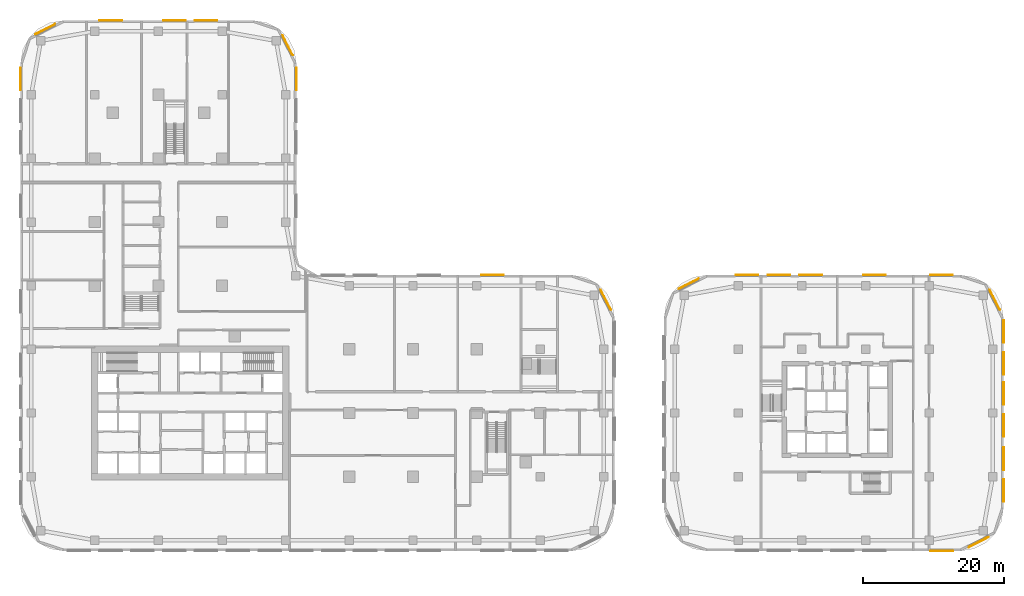
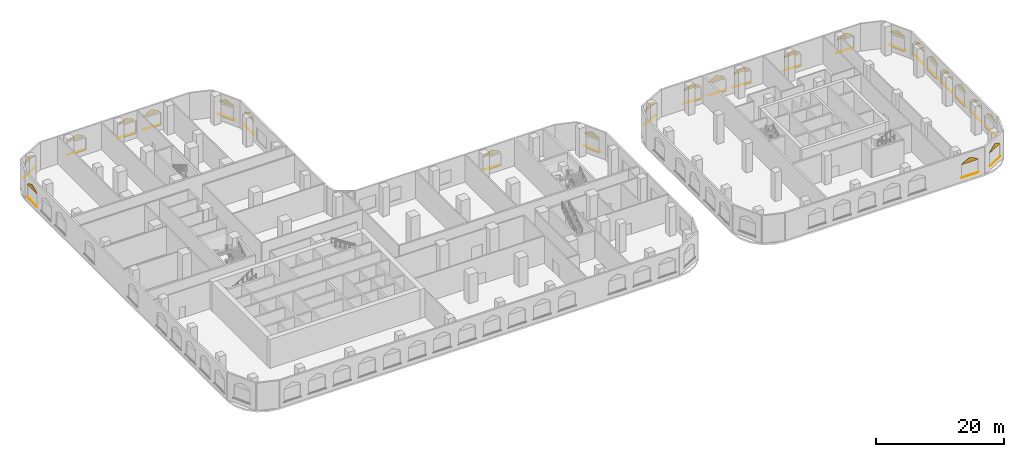
# One storey, part 31 of 31: 48 coverings.
"""IFC4 building model written with IfcOpenShell, lengths in metres."""

from ifc_helpers import new_model, si_unit, direction, frame, origin, origin_2d, place, context, subcontext, project, spatial, polyline, rectangle, outline, extrude, material, layer, layer_set, type_object, element, save


model = new_model("IFC4")

# Units and contexts
model_context = context("Model", 3, precision=1e-05, world=origin(), true_north=direction((0.0, 1.0)))
body_context = subcontext(model_context, "Body", "Model", "MODEL_VIEW")
ifc_project = project(units=[si_unit("LENGTHUNIT", "METRE"), si_unit("AREAUNIT", "SQUARE_METRE"), si_unit("VOLUMEUNIT", "CUBIC_METRE"), si_unit("PLANEANGLEUNIT", "RADIAN"), si_unit("MASSUNIT", "GRAM", prefix="KILO")], contexts=[model_context])

# Site, building, storey
site_placement = place(None, origin())
site = spatial("IfcSite", under=ifc_project, at=site_placement, CompositionType="ELEMENT")
building_placement = place(site_placement, origin())
building = spatial("IfcBuilding", under=site, at=building_placement, Name="Ogive Portal Towers", CompositionType="ELEMENT")
storey_placement = place(building_placement, frame((0.0, 0.0, 8.0)))
storey = spatial("IfcBuildingStorey", under=building, at=storey_placement, Name="L01", CompositionType="ELEMENT", Elevation=8.0)

# Coverings
ifc_material = material(Name="Limestone cladding on lightweight block wall", Category="masonry")
ifc_layer_1 = layer(ifc_material, 0.0400390625)
ifc_layer_set_1 = layer_set([ifc_layer_1], Name="LANCET HEAD STONE")
covering_type_1 = type_object("IfcCoveringType", Name="LANCET HEAD STONE", PredefinedType="CLADDING", material=ifc_layer_set_1)
covering_1_placement = place(storey_placement, frame((104.41162109375, 45.15478515625, 3.300048828125), z_axis=(-0.890951213184, -0.453986518369, 0.010108257236), x_axis=(-0.454009716366, 0.890996732567, -3.06364e-07)))
element("IfcCovering", 1, at=covering_1_placement, inside=storey, type_object=covering_type_1, Name="Lancet head", PredefinedType="CLADDING", context=body_context, shape_type="SweptSolid", body=[
    extrude(outline(polyline([(0.0, 0.0), (2.999890731384289, 0.0), (2.9337135819672038, -0.1125567277471324), (2.812400611987339, -0.22486506751868154), (2.6556000370748487, -0.3374203120598849), (2.469538433092914, -0.4499743995598753), (2.2588005222545657, -0.5625287879186986), (2.0255699014167377, -0.6750836458422428), (1.7721410097270687, -0.7873928150844063), (1.499929860246848, -0.8999490760785828), (1.2276287171759217, -0.7873937893609075), (0.9742165180292072, -0.6750829864833984), (0.741113432099835, -0.5625274171833613), (0.5303922139540335, -0.44997357711867286), (0.34434730266464575, -0.33741943619515136), (0.18734589194553927, -0.22486533182457222), (0.06626714300779069, -0.11255481996471935), (0.0, 0.0)])), origin(), (0.0, 0.0, -1.0), 0.0400390625),
])
for number, where, z_axis, x_axis, name in (
    (2, (89.25, 50.0, 3.300048828125), (0.0, -0.999950056531, 0.009994220538), (-1.0, 0.0, 0.0), "Lancet head"),
    (3, (60.0, 76.25, 3.300048828125), (-0.999950056531, 0.0, 0.009994220538), (0.0, 1.0, 0.0), "Lancet head"),
):
    element("IfcCovering", number, at=place(storey_placement, frame(where, z_axis=z_axis, x_axis=x_axis)), inside=storey, type_object=covering_type_1, Name=name, PredefinedType="CLADDING", context=body_context, shape_type="SweptSolid", body=[
        extrude(outline(polyline([(0.0, 0.0), (3.0, 0.0), (2.93359375, -0.11255540702230543), (2.8125, -0.22486424561759202), (2.655517578125, -0.3374196526398974), (2.4697265625, -0.4499726196669543), (2.2587890625, -0.5625280266892596), (2.025634765625, -0.6750834337115651), (1.772216796875, -0.7873922723068517), (1.5, -0.8999476793291572), (1.227783203125, -0.7873922723068517), (0.974365234375, -0.6750834337115651), (0.7412109375, -0.5625280266892596), (0.5302734375, -0.4499726196669543), (0.344482421875, -0.3374196526398974), (0.1875, -0.22486424561759202), (0.06640625, -0.11255540702230543), (0.0, 0.0)])), origin(), (0.0, 0.0, -1.0), 0.0400390625),
    ])
covering_2_placement = place(storey_placement, frame((59.41162109375, 81.15478515625, 3.300048828125), z_axis=(-0.890951213184, -0.453986518369, 0.010108257236), x_axis=(-0.454009716366, 0.890996732567, -3.06364e-07)))
element("IfcCovering", 4, at=covering_2_placement, inside=storey, type_object=covering_type_1, Name="Lancet head", PredefinedType="CLADDING", context=body_context, shape_type="SweptSolid", body=[
    extrude(outline(polyline([(0.0, 0.0), (2.999890731384289, 0.0), (2.9337135819672038, -0.1125567277471324), (2.812400611987339, -0.22486506751868154), (2.6556000370748487, -0.3374203120598849), (2.469538433092914, -0.4499743995598753), (2.2588005222545657, -0.5625287879186986), (2.0255699014167377, -0.6750836458422428), (1.7721410097270687, -0.7873928150844063), (1.499929860246848, -0.8999490760785828), (1.2276287171759217, -0.7873937893609075), (0.9742165180292072, -0.6750829864833984), (0.741113432099835, -0.5625274171833613), (0.5303922139540335, -0.44997357711867286), (0.34434730266464575, -0.33741943619515136), (0.18734589194553927, -0.22486533182457222), (0.06626714300779069, -0.11255481996471935), (0.0, 0.0)])), origin(), (0.0, 0.0, -1.0), 0.0400390625),
])
for number, where, z_axis, x_axis, name in (
    (5, (48.75, 86.0, 3.300048828125), (0.0, -0.999950056531, 0.009994220538), (-1.0, 0.0, 0.0), "Lancet head"),
    (6, (44.25, 86.0, 3.300048828125), (0.0, -0.999950056531, 0.009994220538), (-1.0, 0.0, 0.0), "Lancet head"),
    (7, (35.25, 86.0, 3.300048828125), (0.0, -0.999950056531, 0.009994220538), (-1.0, 0.0, 0.0), "Lancet head"),
):
    element("IfcCovering", number, at=place(storey_placement, frame(where, z_axis=z_axis, x_axis=x_axis)), inside=storey, type_object=covering_type_1, Name=name, PredefinedType="CLADDING", context=body_context, shape_type="SweptSolid", body=[
        extrude(outline(polyline([(0.0, 0.0), (3.0, 0.0), (2.93359375, -0.11255540702230543), (2.8125, -0.22486424561759202), (2.655517578125, -0.3374196526398974), (2.4697265625, -0.4499726196669543), (2.2587890625, -0.5625280266892596), (2.025634765625, -0.6750834337115651), (1.772216796875, -0.7873922723068517), (1.5, -0.8999476793291572), (1.227783203125, -0.7873922723068517), (0.974365234375, -0.6750834337115651), (0.7412109375, -0.5625280266892596), (0.5302734375, -0.4499726196669543), (0.344482421875, -0.3374196526398974), (0.1875, -0.22486424561759202), (0.06640625, -0.11255540702230543), (0.0, 0.0)])), origin(), (0.0, 0.0, -1.0), 0.0400390625),
    ])
covering_3_placement = place(storey_placement, frame((25.84521484375, 85.41162109375, 3.300048828125), z_axis=(0.453986518369, -0.890951213184, 0.010108257236), x_axis=(-0.890996732567, -0.454009716366, -3.06364e-07)))
element("IfcCovering", 8, at=covering_3_placement, inside=storey, type_object=covering_type_1, Name="Lancet head", PredefinedType="CLADDING", context=body_context, shape_type="SweptSolid", body=[
    extrude(outline(polyline([(0.0, 0.0), (2.999890731384289, 0.0), (2.9337135819672038, -0.1125567277471324), (2.812400611987339, -0.22486506751868154), (2.6556000370748487, -0.3374203120598849), (2.469538433092914, -0.4499743995598753), (2.2588005222545657, -0.5625287879186986), (2.0255699014167377, -0.6750836458422428), (1.7721410097270687, -0.7873928150844063), (1.499929860246848, -0.8999490760785828), (1.2276287171759217, -0.7873937893609075), (0.9742165180292072, -0.6750829864833984), (0.741113432099835, -0.5625274171833613), (0.5303922139540335, -0.44997357711867286), (0.34434730266464575, -0.33741943619515136), (0.18734589194553927, -0.22486533182457222), (0.06626714300779069, -0.11255481996471935), (0.0, 0.0)])), origin(), (0.0, 0.0, -1.0), 0.0400390625),
])
for number, where, z_axis, x_axis, name in (
    (9, (21.0, 79.226318359375, 3.300048828125), (0.99995005646, 0.0, 0.009994227635), (0.0, -1.0, 0.0), "Lancet head"),
    (10, (149.773681640625, 11.0, 3.300048828125), (0.0, 0.99995005646, 0.009994227635), (1.0, 0.0, 0.0), "Lancet head"),
):
    element("IfcCovering", number, at=place(storey_placement, frame(where, z_axis=z_axis, x_axis=x_axis)), inside=storey, type_object=covering_type_1, Name=name, PredefinedType="CLADDING", context=body_context, shape_type="SweptSolid", body=[
        extrude(outline(polyline([(0.0, 0.0), (3.0, 0.0), (2.933837890625, -0.11255540702298532), (2.8125, -0.22486424561723664), (2.655517578125, -0.33741965264022195), (2.4697265625, -0.44997261966622615), (2.259033203125, -0.5625280266892115), (2.02587890625, -0.6750834337121968), (1.7724609375, -0.7873922723064481), (1.5, -0.8999476793294334), (1.227783203125, -0.7873922723064481), (0.974365234375, -0.6750834337121968), (0.7412109375, -0.5625280266892115), (0.530517578125, -0.44997261966622615), (0.344482421875, -0.33741965264022195), (0.1875, -0.22486424561723664), (0.06640625, -0.11255540702298532), (0.0, 0.0)])), origin(), (0.0, 0.0, -1.0), 0.0400390625),
    ])
covering_4_placement = place(storey_placement, frame((155.15478515625, 11.58837890625, 3.300048828125), z_axis=(-0.453986518369, 0.890951213184, 0.010108257236), x_axis=(0.890996732567, 0.454009716366, -3.06364e-07)))
element("IfcCovering", 11, at=covering_4_placement, inside=storey, type_object=covering_type_1, Name="Lancet head", PredefinedType="CLADDING", context=body_context, shape_type="SweptSolid", body=[
    extrude(outline(polyline([(0.0, 0.0), (2.999890731384289, 0.0), (2.9337135819672038, -0.1125567277471324), (2.812400611987339, -0.22486506751868154), (2.6556000370748487, -0.3374203120598849), (2.469538433092914, -0.4499743995598753), (2.2588005222545657, -0.5625287879186986), (2.0255699014167377, -0.6750836458422428), (1.7721410097270687, -0.7873928150844063), (1.499929860246848, -0.8999490760785828), (1.2276287171759217, -0.7873937893609075), (0.9742165180292072, -0.6750829864833984), (0.741113432099835, -0.5625274171833613), (0.5303922139540335, -0.44997357711867286), (0.34434730266464575, -0.33741943619515136), (0.18734589194553927, -0.22486533182457222), (0.06626714300779069, -0.11255481996471935), (0.0, 0.0)])), origin(), (0.0, 0.0, -1.0), 0.0400390625),
])
for number, where, z_axis, x_axis, name in (
    (12, (160.0, 18.023681640625, 3.300048828125), (-0.99995005646, 0.0, 0.009994227635), (0.0, 1.0, 0.0), "Lancet head"),
    (13, (160.0, 22.523681640625, 3.300048828125), (-0.99995005646, 0.0, 0.009994227635), (0.0, 1.0, 0.0), "Lancet head"),
):
    element("IfcCovering", number, at=place(storey_placement, frame(where, z_axis=z_axis, x_axis=x_axis)), inside=storey, type_object=covering_type_1, Name=name, PredefinedType="CLADDING", context=body_context, shape_type="SweptSolid", body=[
        extrude(outline(polyline([(0.0, 0.0), (3.0, 0.0), (2.933837890625, -0.11255540702298532), (2.8125, -0.22486424561723664), (2.655517578125, -0.33741965264022195), (2.4697265625, -0.44997261966622615), (2.259033203125, -0.5625280266892115), (2.02587890625, -0.6750834337121968), (1.7724609375, -0.7873922723064481), (1.5, -0.8999476793294334), (1.227783203125, -0.7873922723064481), (0.974365234375, -0.6750834337121968), (0.7412109375, -0.5625280266892115), (0.530517578125, -0.44997261966622615), (0.344482421875, -0.33741965264022195), (0.1875, -0.22486424561723664), (0.06640625, -0.11255540702298532), (0.0, 0.0)])), origin(), (0.0, 0.0, -1.0), 0.0400390625),
    ])
for number, where, z_axis, x_axis, name in (
    (14, (160.0, 27.25, 3.300048828125), (-0.999950056531, 0.0, 0.009994220538), (0.0, 1.0, 0.0), "Lancet head"),
    (15, (160.0, 31.75, 3.300048828125), (-0.999950056531, 0.0, 0.009994220538), (0.0, 1.0, 0.0), "Lancet head"),
):
    element("IfcCovering", number, at=place(storey_placement, frame(where, z_axis=z_axis, x_axis=x_axis)), inside=storey, type_object=covering_type_1, Name=name, PredefinedType="CLADDING", context=body_context, shape_type="SweptSolid", body=[
        extrude(outline(polyline([(0.0, 0.0), (3.0, 0.0), (2.93359375, -0.11255540702230543), (2.8125, -0.22486424561759202), (2.655517578125, -0.3374196526398974), (2.4697265625, -0.4499726196669543), (2.2587890625, -0.5625280266892596), (2.025634765625, -0.6750834337115651), (1.772216796875, -0.7873922723068517), (1.5, -0.8999476793291572), (1.227783203125, -0.7873922723068517), (0.974365234375, -0.6750834337115651), (0.7412109375, -0.5625280266892596), (0.5302734375, -0.4499726196669543), (0.344482421875, -0.3374196526398974), (0.1875, -0.22486424561759202), (0.06640625, -0.11255540702230543), (0.0, 0.0)])), origin(), (0.0, 0.0, -1.0), 0.0400390625),
    ])
for number, where, z_axis, x_axis, name in (
    (16, (160.0, 36.023681640625, 3.300048828125), (-0.99995005646, 0.0, 0.009994227635), (0.0, 1.0, 0.0), "Lancet head"),
    (17, (160.0, 40.523681640625, 3.300048828125), (-0.99995005646, 0.0, 0.009994227635), (0.0, 1.0, 0.0), "Lancet head"),
):
    element("IfcCovering", number, at=place(storey_placement, frame(where, z_axis=z_axis, x_axis=x_axis)), inside=storey, type_object=covering_type_1, Name=name, PredefinedType="CLADDING", context=body_context, shape_type="SweptSolid", body=[
        extrude(outline(polyline([(0.0, 0.0), (3.0, 0.0), (2.933837890625, -0.11255540702298532), (2.8125, -0.22486424561723664), (2.655517578125, -0.33741965264022195), (2.4697265625, -0.44997261966622615), (2.259033203125, -0.5625280266892115), (2.02587890625, -0.6750834337121968), (1.7724609375, -0.7873922723064481), (1.5, -0.8999476793294334), (1.227783203125, -0.7873922723064481), (0.974365234375, -0.6750834337121968), (0.7412109375, -0.5625280266892115), (0.530517578125, -0.44997261966622615), (0.344482421875, -0.33741965264022195), (0.1875, -0.22486424561723664), (0.06640625, -0.11255540702298532), (0.0, 0.0)])), origin(), (0.0, 0.0, -1.0), 0.0400390625),
    ])
covering_5_placement = place(storey_placement, frame((159.41162109375, 45.15478515625, 3.300048828125), z_axis=(-0.890951213184, -0.453986518369, 0.010108257236), x_axis=(-0.454009716366, 0.890996732567, -3.06364e-07)))
element("IfcCovering", 18, at=covering_5_placement, inside=storey, type_object=covering_type_1, Name="Lancet head", PredefinedType="CLADDING", context=body_context, shape_type="SweptSolid", body=[
    extrude(outline(polyline([(0.0, 0.0), (2.999890731384289, 0.0), (2.9337135819672038, -0.1125567277471324), (2.812400611987339, -0.22486506751868154), (2.6556000370748487, -0.3374203120598849), (2.469538433092914, -0.4499743995598753), (2.2588005222545657, -0.5625287879186986), (2.0255699014167377, -0.6750836458422428), (1.7721410097270687, -0.7873928150844063), (1.499929860246848, -0.8999490760785828), (1.2276287171759217, -0.7873937893609075), (0.9742165180292072, -0.6750829864833984), (0.741113432099835, -0.5625274171833613), (0.5303922139540335, -0.44997357711867286), (0.34434730266464575, -0.33741943619515136), (0.18734589194553927, -0.22486533182457222), (0.06626714300779069, -0.11255481996471935), (0.0, 0.0)])), origin(), (0.0, 0.0, -1.0), 0.0400390625),
])
covering_6_placement = place(storey_placement, frame((152.726318359375, 50.0, 3.300048828125), z_axis=(0.0, -0.99995005646, 0.009994227635), x_axis=(-1.0, 0.0, 0.0)))
element("IfcCovering", 19, at=covering_6_placement, inside=storey, type_object=covering_type_1, Name="Lancet head", PredefinedType="CLADDING", context=body_context, shape_type="SweptSolid", body=[
    extrude(outline(polyline([(0.0, 0.0), (3.0, 0.0), (2.933837890625, -0.11255540702298532), (2.8125, -0.22486424561723664), (2.655517578125, -0.33741965264022195), (2.4697265625, -0.44997261966622615), (2.259033203125, -0.5625280266892115), (2.02587890625, -0.6750834337121968), (1.7724609375, -0.7873922723064481), (1.5, -0.8999476793294334), (1.227783203125, -0.7873922723064481), (0.974365234375, -0.6750834337121968), (0.7412109375, -0.5625280266892115), (0.530517578125, -0.44997261966622615), (0.344482421875, -0.33741965264022195), (0.1875, -0.22486424561723664), (0.06640625, -0.11255540702298532), (0.0, 0.0)])), origin(), (0.0, 0.0, -1.0), 0.0400390625),
])
for number, where, z_axis, x_axis, name in (
    (20, (143.25, 50.0, 3.300048828125), (0.0, -0.999950056531, 0.009994220538), (-1.0, 0.0, 0.0), "Lancet head"),
    (21, (134.25, 50.0, 3.300048828125), (0.0, -0.999950056531, 0.009994220538), (-1.0, 0.0, 0.0), "Lancet head"),
    (22, (129.75, 50.0, 3.300048828125), (0.0, -0.999950056531, 0.009994220538), (-1.0, 0.0, 0.0), "Lancet head"),
    (23, (125.25, 50.0, 3.300048828125), (0.0, -0.999950056531, 0.009994220538), (-1.0, 0.0, 0.0), "Lancet head"),
):
    element("IfcCovering", number, at=place(storey_placement, frame(where, z_axis=z_axis, x_axis=x_axis)), inside=storey, type_object=covering_type_1, Name=name, PredefinedType="CLADDING", context=body_context, shape_type="SweptSolid", body=[
        extrude(outline(polyline([(0.0, 0.0), (3.0, 0.0), (2.93359375, -0.11255540702230543), (2.8125, -0.22486424561759202), (2.655517578125, -0.3374196526398974), (2.4697265625, -0.4499726196669543), (2.2587890625, -0.5625280266892596), (2.025634765625, -0.6750834337115651), (1.772216796875, -0.7873922723068517), (1.5, -0.8999476793291572), (1.227783203125, -0.7873922723068517), (0.974365234375, -0.6750834337115651), (0.7412109375, -0.5625280266892596), (0.5302734375, -0.4499726196669543), (0.344482421875, -0.3374196526398974), (0.1875, -0.22486424561759202), (0.06640625, -0.11255540702230543), (0.0, 0.0)])), origin(), (0.0, 0.0, -1.0), 0.0400390625),
    ])
covering_7_placement = place(storey_placement, frame((116.84521484375, 49.41162109375, 3.300048828125), z_axis=(0.453986518369, -0.890951213184, 0.010108257236), x_axis=(-0.890996732567, -0.454009716366, -3.06364e-07)))
element("IfcCovering", 24, at=covering_7_placement, inside=storey, type_object=covering_type_1, Name="Lancet head", PredefinedType="CLADDING", context=body_context, shape_type="SweptSolid", body=[
    extrude(outline(polyline([(0.0, 0.0), (2.999890731384289, 0.0), (2.9337135819672038, -0.1125567277471324), (2.812400611987339, -0.22486506751868154), (2.6556000370748487, -0.3374203120598849), (2.469538433092914, -0.4499743995598753), (2.2588005222545657, -0.5625287879186986), (2.0255699014167377, -0.6750836458422428), (1.7721410097270687, -0.7873928150844063), (1.499929860246848, -0.8999490760785828), (1.2276287171759217, -0.7873937893609075), (0.9742165180292072, -0.6750829864833984), (0.741113432099835, -0.5625274171833613), (0.5303922139540335, -0.44997357711867286), (0.34434730266464575, -0.33741943619515136), (0.18734589194553927, -0.22486533182457222), (0.06626714300779069, -0.11255481996471935), (0.0, 0.0)])), origin(), (0.0, 0.0, -1.0), 0.0400390625),
])
ifc_layer_2 = layer(ifc_material, 0.080078125)
ifc_layer_set_2 = layer_set([ifc_layer_2], Name="STONE SILL 80")
covering_type_2 = type_object("IfcCoveringType", Name="STONE SILL 80", PredefinedType="CLADDING", material=ifc_layer_set_2)
for number, where, z_axis, x_axis, name in (
    (25, (103.766357421875, 46.50927734375, 0.840087890625), (0.0, 0.0, 1.0), (-0.45399049974, 0.891006524188, 0.0), "Stone sill"),
    (26, (87.75, 50.0400390625, 0.840087890625), (0.0, 0.0, 1.0), (-1.0, 0.0, 0.0), "Stone sill"),
    (27, (60.0400390625, 77.75, 0.840087890625), (0.0, 0.0, 1.0), (0.0, 1.0, 0.0), "Stone sill"),
    (28, (58.766357421875, 82.50927734375, 0.840087890625), (0.0, 0.0, 1.0), (-0.45399049974, 0.891006524188, 0.0), "Stone sill"),
    (29, (47.25, 86.0400390625, 0.840087890625), (0.0, 0.0, 1.0), (-1.0, 0.0, 0.0), "Stone sill"),
    (30, (42.75, 86.0400390625, 0.840087890625), (0.0, 0.0, 1.0), (-1.0, 0.0, 0.0), "Stone sill"),
    (31, (33.75, 86.0400390625, 0.840087890625), (0.0, 0.0, 1.0), (-1.0, 0.0, 0.0), "Stone sill"),
    (32, (24.49072265625, 84.766357421875, 0.840087890625), (0.0, 0.0, 1.0), (-0.891006524188, -0.45399049974, 0.0), "Stone sill"),
    (33, (20.9599609375, 77.726318359375, 0.840087890625), (0.0, 0.0, 1.0), (0.0, -1.0, 0.0), "Stone sill"),
    (34, (151.273681640625, 10.9599609375, 0.840087890625), (0.0, 0.0, 1.0), (1.0, 0.0, 0.0), "Stone sill"),
    (35, (156.50927734375, 12.233642578125, 0.840087890625), (0.0, 0.0, 1.0), (0.891006524188, 0.45399049974, 0.0), "Stone sill"),
    (36, (160.0400390625, 19.523681640625, 0.840087890625), (0.0, 0.0, 1.0), (0.0, 1.0, 0.0), "Stone sill"),
    (37, (160.0400390625, 24.023681640625, 0.840087890625), (0.0, 0.0, 1.0), (0.0, 1.0, 0.0), "Stone sill"),
    (38, (160.0400390625, 28.75, 0.840087890625), (0.0, 0.0, 1.0), (0.0, 1.0, 0.0), "Stone sill"),
    (39, (160.0400390625, 33.25, 0.840087890625), (0.0, 0.0, 1.0), (0.0, 1.0, 0.0), "Stone sill"),
    (40, (160.0400390625, 37.523681640625, 0.840087890625), (0.0, 0.0, 1.0), (0.0, 1.0, 0.0), "Stone sill"),
    (41, (160.0400390625, 42.023681640625, 0.840087890625), (0.0, 0.0, 1.0), (0.0, 1.0, 0.0), "Stone sill"),
    (42, (158.766357421875, 46.50927734375, 0.840087890625), (0.0, 0.0, 1.0), (-0.45399049974, 0.891006524188, 0.0), "Stone sill"),
    (43, (151.226318359375, 50.0400390625, 0.840087890625), (0.0, 0.0, 1.0), (-1.0, 0.0, 0.0), "Stone sill"),
    (44, (141.75, 50.0400390625, 0.840087890625), (0.0, 0.0, 1.0), (-1.0, 0.0, 0.0), "Stone sill"),
    (45, (132.75, 50.0400390625, 0.840087890625), (0.0, 0.0, 1.0), (-1.0, 0.0, 0.0), "Stone sill"),
    (46, (128.25, 50.0400390625, 0.840087890625), (0.0, 0.0, 1.0), (-1.0, 0.0, 0.0), "Stone sill"),
    (47, (123.75, 50.0400390625, 0.840087890625), (0.0, 0.0, 1.0), (-1.0, 0.0, 0.0), "Stone sill"),
    (48, (115.49072265625, 48.766357421875, 0.840087890625), (0.0, 0.0, 1.0), (-0.891006524188, -0.45399049974, 0.0), "Stone sill"),
):
    element("IfcCovering", number, at=place(storey_placement, frame(where, z_axis=z_axis, x_axis=x_axis)), inside=storey, type_object=covering_type_2, Name=name, PredefinedType="CLADDING", context=body_context, shape_type="SweptSolid", body=[
        extrude(rectangle(XDim=3.199951171875, YDim=0.080078125, at=origin_2d()), origin(), (0.0, 0.0, 1.0), 0.06005859375),
    ])

save(model, "model.ifc")
